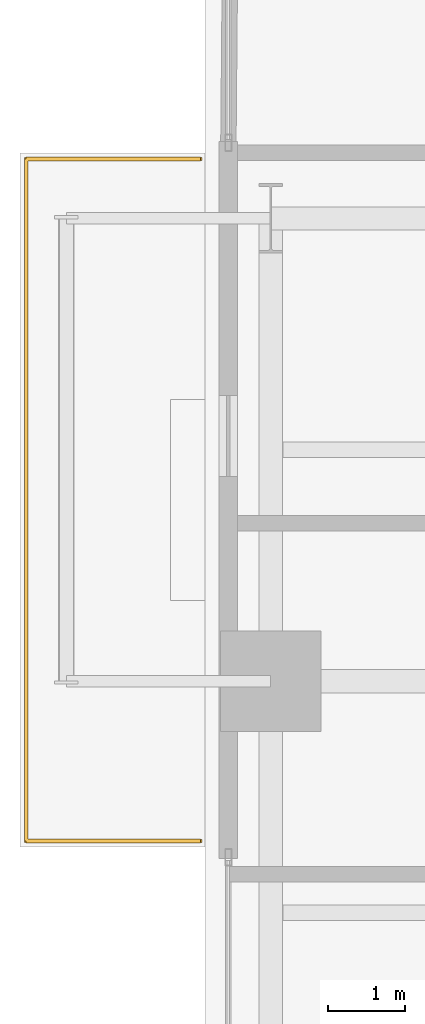
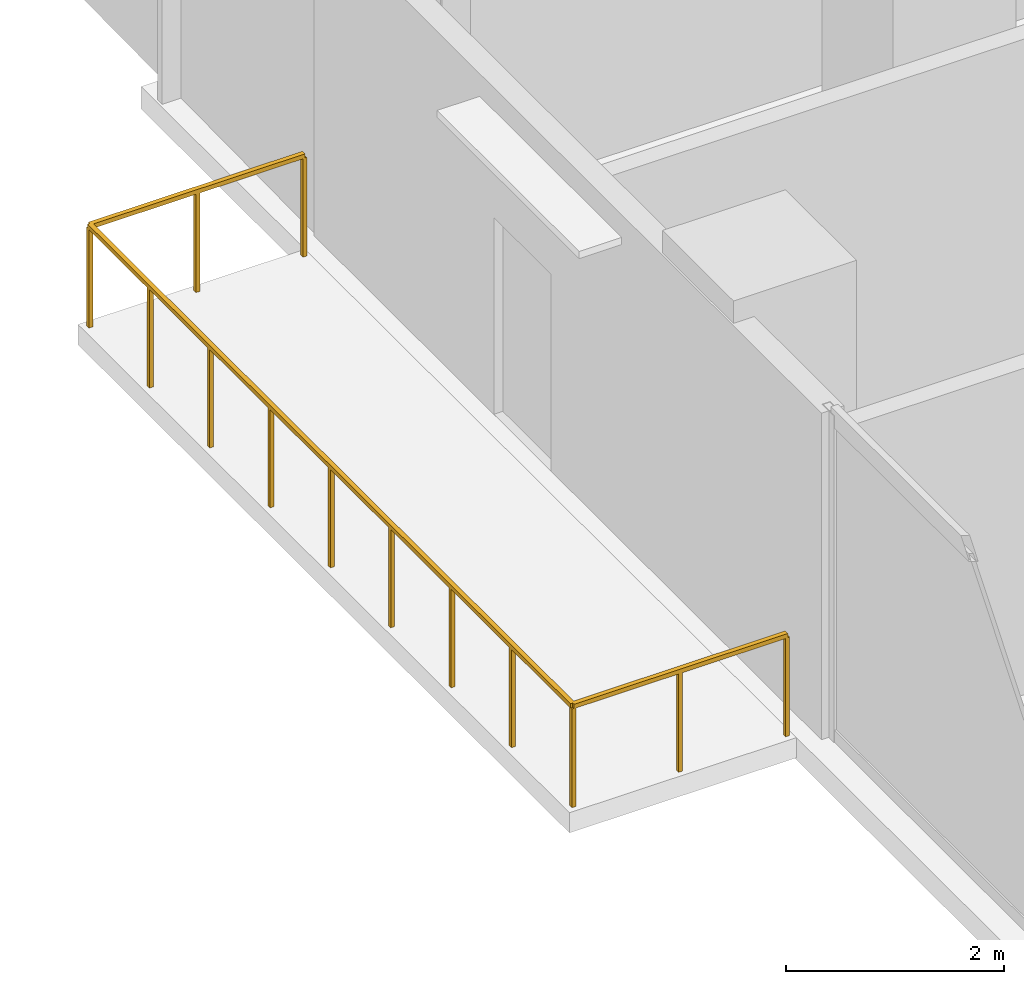
# One storey, part 27 of 27: 1 railing.
"""IFC4 building model written with IfcOpenShell, lengths in metres."""

from ifc_helpers import new_model, si_unit, direction, frame, origin, origin_2d, place, context, subcontext, project, spatial, rectangle, extrude, material, type_object, element, save


model = new_model("IFC4")

# Units and contexts
model_context = context("Model", 3, precision=1e-05, world=origin(), true_north=direction((0.0, 1.0)))
body_context = subcontext(model_context, "Body", "Model", "MODEL_VIEW")
ifc_project = project(units=[si_unit("LENGTHUNIT", "METRE"), si_unit("AREAUNIT", "SQUARE_METRE"), si_unit("VOLUMEUNIT", "CUBIC_METRE"), si_unit("PLANEANGLEUNIT", "RADIAN"), si_unit("MASSUNIT", "GRAM", prefix="KILO"), si_unit("THERMODYNAMICTEMPERATUREUNIT", "KELVIN"), si_unit("POWERUNIT", "WATT")], contexts=[model_context])

# Site, building, storey
site_placement = place(None, origin())
site = spatial("IfcSite", under=ifc_project, at=site_placement, CompositionType="ELEMENT")
building_placement = place(site_placement, origin())
building = spatial("IfcBuilding", under=site, at=building_placement, Name="Svarakhadi Broadcast Tower", CompositionType="ELEMENT")
storey_placement = place(building_placement, frame((0.0, 0.0, 75.300048828125)))
storey = spatial("IfcBuildingStorey", under=building, at=storey_placement, Name="L17", CompositionType="ELEMENT", Elevation=75.300048828125)

# Railing
ifc_material = material(Name="Laminated Structural SentryGlas Balustrade 25.5 mm", Category="glass")
railing_type = type_object("IfcRailingType", Name="Guard_Balcony_GR01", PredefinedType="BALUSTRADE", material=ifc_material)
railing_placement = place(storey_placement, frame((-0.06005859375, 33.080078125, 0.0)))
element("IfcRailing", 1, at=railing_placement, inside=storey, type_object=railing_type, Name="L17 West Tree Balcony Guard GR-05", PredefinedType="BALUSTRADE", context=body_context, shape_type="SweptSolid", body=[
    extrude(rectangle(XDim=0.048095703125, YDim=0.048095703125, at=origin_2d()), frame((0.0, 0.0, 1.1259765625), z_axis=(-1.0, 0.0, 0.0), x_axis=(0.0, -1.0, 0.0)), (0.0, 0.0, 1.0), 2.260009765625),
    extrude(rectangle(XDim=0.048095703125, YDim=0.048095703125, at=origin_2d()), frame((-2.260009765625, 0.0, 1.1259765625), z_axis=(0.0, 1.0, 0.0), x_axis=(-1.0, 0.0, 0.0)), (0.0, 0.0, 1.0), 8.83984375),
    extrude(rectangle(XDim=0.048095703125, YDim=0.048095703125, at=origin_2d()), frame((-2.260009765625, 8.83984375, 1.1259765625), z_axis=(1.0, 0.0, 0.0), x_axis=(0.0, 1.0, 0.0)), (0.0, 0.0, 1.0), 2.260009765625),
    extrude(rectangle(XDim=0.0419921875, YDim=0.0419921875, at=origin_2d()), origin(), (0.0, 0.0, 1.0), 1.101806640625),
    extrude(rectangle(XDim=0.0419921875, YDim=0.0419921875, at=origin_2d()), frame((-1.1298828125, 0.0, 0.0)), (0.0, 0.0, 1.0), 1.101806640625),
    extrude(rectangle(XDim=0.0419921875, YDim=0.0419921875, at=origin_2d()), frame((-2.260009765625, 0.0, 0.0)), (0.0, 0.0, 1.0), 1.101806640625),
    extrude(rectangle(XDim=0.0419921875, YDim=0.0419921875, at=origin_2d()), frame((-2.260009765625, 1.10498046875, 0.0)), (0.0, 0.0, 1.0), 1.101806640625),
    extrude(rectangle(XDim=0.0419921875, YDim=0.0419921875, at=origin_2d()), frame((-2.260009765625, 2.2099609375, 0.0)), (0.0, 0.0, 1.0), 1.101806640625),
    extrude(rectangle(XDim=0.0419921875, YDim=0.0419921875, at=origin_2d()), frame((-2.260009765625, 3.31494140625, 0.0)), (0.0, 0.0, 1.0), 1.101806640625),
    extrude(rectangle(XDim=0.0419921875, YDim=0.0419921875, at=origin_2d()), frame((-2.260009765625, 4.419921875, 0.0)), (0.0, 0.0, 1.0), 1.101806640625),
    extrude(rectangle(XDim=0.0419921875, YDim=0.0419921875, at=origin_2d()), frame((-2.260009765625, 5.52490234375, 0.0)), (0.0, 0.0, 1.0), 1.101806640625),
    extrude(rectangle(XDim=0.0419921875, YDim=0.0419921875, at=origin_2d()), frame((-2.260009765625, 6.6298828125, 0.0)), (0.0, 0.0, 1.0), 1.101806640625),
    extrude(rectangle(XDim=0.0419921875, YDim=0.0419921875, at=origin_2d()), frame((-2.260009765625, 7.73486328125, 0.0)), (0.0, 0.0, 1.0), 1.101806640625),
    extrude(rectangle(XDim=0.0419921875, YDim=0.0419921875, at=origin_2d()), frame((-2.260009765625, 8.83984375, 0.0)), (0.0, 0.0, 1.0), 1.101806640625),
    extrude(rectangle(XDim=0.0419921875, YDim=0.0419921875, at=origin_2d()), frame((-1.1298828125, 8.83984375, 0.0)), (0.0, 0.0, 1.0), 1.101806640625),
    extrude(rectangle(XDim=0.0419921875, YDim=0.0419921875, at=origin_2d()), frame((0.0, 8.83984375, 0.0)), (0.0, 0.0, 1.0), 1.101806640625),
])

save(model, "model.ifc")
